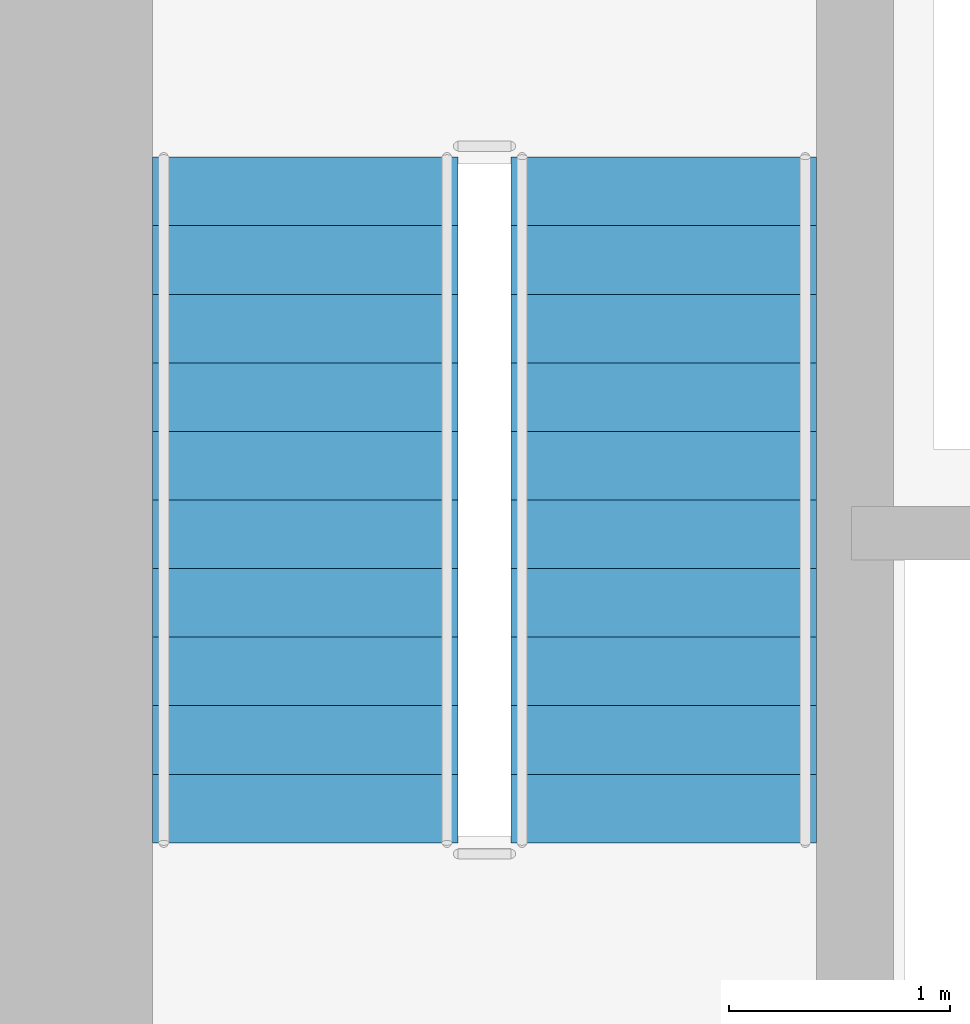
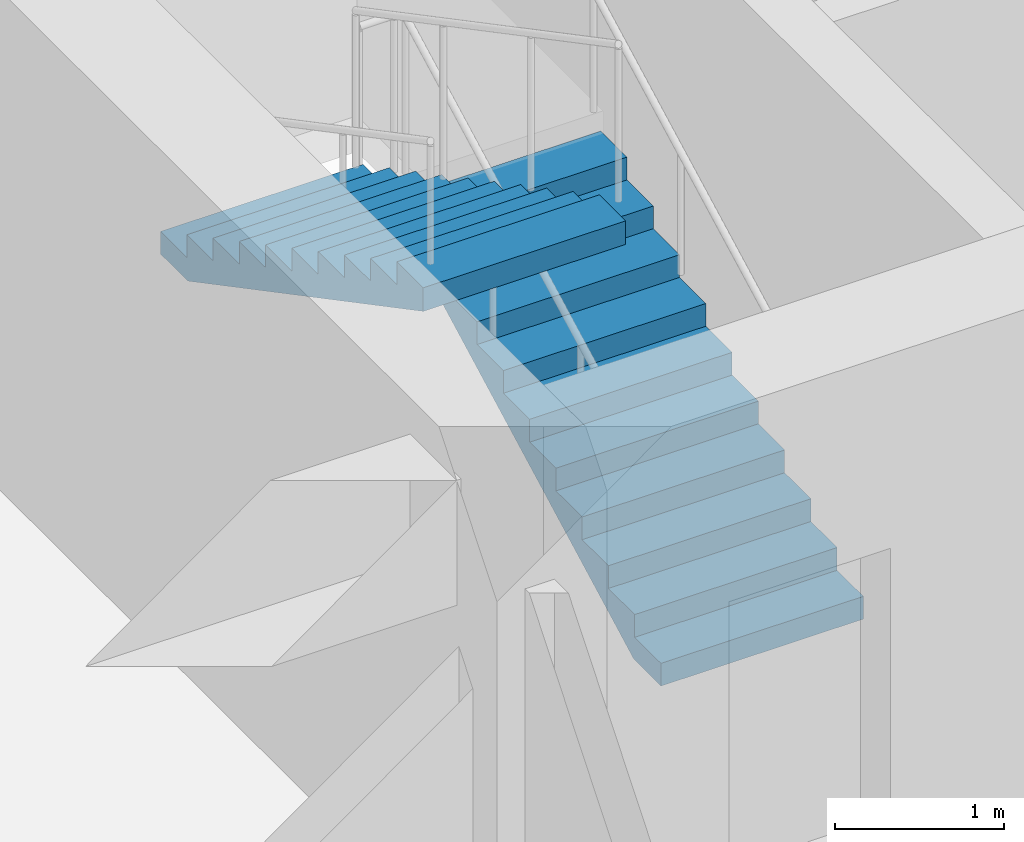
# One storey, part 12 of 14: 2 stair flights, 1 element without a shape of its own.
"""IFC4 building model written with IfcOpenShell, lengths in metres."""

import ifcopenshell
import ifcopenshell.guid

model = None  # the IFC model being written
_history = None  # IfcOwnerHistory: only IFC2X3 demands one
_inside = {}  # id of a spatial element -> (the spatial element, [elements in it])
_under = {}  # id of a project, library or spatial element -> (it, [spatial elements below it])
_declared = {}  # id of a project -> (the project, [libraries it declares])
_typed = {}  # id of a type object -> (the type object, [elements of that type])
_made_of = {}  # id of a material, layer set ... -> (it, [elements and type objects made of it])


def new_model(schema):
    """Start an empty IFC model of exactly this schema.

    Asked for "IFC4X3", IfcOpenShell would pick the latest addendum, in which some entities
    have other attributes; the version numbers below select the first issue.
    IFC2X3 requires an IfcOwnerHistory on every rooted entity: one is made here for all.
    """
    global model, _history
    if schema == "IFC4X3":
        model = ifcopenshell.file(schema_version=(4, 3, 0, 0))
    else:
        model = ifcopenshell.file(schema=schema)
    _inside.clear()
    _under.clear()
    _declared.clear()
    _typed.clear()
    _made_of.clear()
    _history = None
    if model.schema == "IFC2X3":
        org = make("IfcOrganization", Name="unknown")
        user = make(
            "IfcPersonAndOrganization",
            ThePerson=make("IfcPerson", FamilyName="unknown"),
            TheOrganization=org,
        )
        app = make(
            "IfcApplication",
            ApplicationDeveloper=org,
            Version="unknown",
            ApplicationFullName="unknown",
            ApplicationIdentifier="unknown",
        )
        _history = make(
            "IfcOwnerHistory",
            OwningUser=user,
            OwningApplication=app,
            ChangeAction="ADDED",
            CreationDate=0,
        )
    return model


def make(cls, **values):
    """One entity of the class cls with the attributes given. An attribute that is None is left unset."""
    return model.create_entity(
        cls, **{name: value for name, value in values.items() if value is not None}
    )


def rooted(cls, **values):
    """An entity with a GlobalId (a new one), such as an element, a storey or a relation."""
    return make(cls, GlobalId=ifcopenshell.guid.new(), OwnerHistory=_history, **values)


def si_unit(unit_type, name, prefix=None):
    """IfcSIUnit, for example si_unit("LENGTHUNIT", "METRE", prefix="MILLI")."""
    return make("IfcSIUnit", UnitType=unit_type, Prefix=prefix, Name=name)


def assignment(units):
    """IfcUnitAssignment: the units of a project."""
    return None if units is None else make("IfcUnitAssignment", Units=units)


def point(xyz):
    """IfcCartesianPoint."""
    return None if xyz is None else make("IfcCartesianPoint", Coordinates=xyz)


def direction(xyz):
    """IfcDirection."""
    return None if xyz is None else make("IfcDirection", DirectionRatios=xyz)


def frame(location, z_axis=None, x_axis=None):
    """IfcAxis2Placement3D, a coordinate frame: its origin and axes. An axis left out is left unset."""
    return make(
        "IfcAxis2Placement3D",
        Location=point(location),
        Axis=direction(z_axis),
        RefDirection=direction(x_axis),
    )


def origin():
    """The frame at (0, 0, 0) with its axes left unset."""
    return frame((0.0, 0.0, 0.0))


def place(relative_to, where):
    """IfcLocalPlacement: puts the frame where relative to a parent placement (None: the world)."""
    return make(
        "IfcLocalPlacement", PlacementRelTo=relative_to, RelativePlacement=where
    )


def context(
    kind, dimensions, precision=None, world=None, true_north=None, identifier=None
):
    """IfcGeometricRepresentationContext, for example the 3D "Model" context."""
    return make(
        "IfcGeometricRepresentationContext",
        ContextIdentifier=identifier,
        ContextType=kind,
        CoordinateSpaceDimension=dimensions,
        Precision=precision,
        WorldCoordinateSystem=world,
        TrueNorth=true_north,
    )


def subcontext(parent, identifier, kind, view, scale=None):
    """IfcGeometricRepresentationSubContext, for example "Body" below "Model"."""
    return make(
        "IfcGeometricRepresentationSubContext",
        ContextIdentifier=identifier,
        ContextType=kind,
        ParentContext=parent,
        TargetScale=scale,
        TargetView=view,
    )


def project(units=None, contexts=None):
    """IfcProject with its units and contexts."""
    return rooted(
        "IfcProject",
        Name="project",
        RepresentationContexts=contexts,
        UnitsInContext=assignment(units),
    )


def spatial(cls, under=None, at=None, **own):
    """A site, building, storey or space (cls), placed at a placement, below another one or the project."""
    s = rooted(cls, ObjectPlacement=at, **own)
    if under is not None:
        _under.setdefault(under.id(), (under, []))[1].append(s)
    return s


def polyline(points):
    """IfcPolyline through the points."""
    return make("IfcPolyline", Points=[point(p) for p in points])


def outline(outer, holes=None, kind="AREA"):
    """IfcArbitraryClosedProfileDef: a profile drawn as a closed curve; with holes, ...WithVoids."""
    if holes is None:
        return make("IfcArbitraryClosedProfileDef", ProfileType=kind, OuterCurve=outer)
    return make(
        "IfcArbitraryProfileDefWithVoids",
        ProfileType=kind,
        OuterCurve=outer,
        InnerCurves=holes,
    )


def extrude(swept, where, along, depth):
    """IfcExtrudedAreaSolid: the profile swept, set in the frame where, extruded along a direction by depth."""
    return make(
        "IfcExtrudedAreaSolid",
        SweptArea=swept,
        Position=where,
        ExtrudedDirection=direction(along),
        Depth=depth,
    )


def shape(context_of_items, identifier, shape_type, items):
    """IfcShapeRepresentation: the items that make up one representation, for example the "Body"."""
    return make(
        "IfcShapeRepresentation",
        ContextOfItems=context_of_items,
        RepresentationIdentifier=identifier,
        RepresentationType=shape_type,
        Items=items,
    )


def source(mapping_origin, context_of_items, identifier, shape_type, items):
    """IfcRepresentationMap: a shape defined once, which mapped items show again and again."""
    return make(
        "IfcRepresentationMap",
        MappingOrigin=mapping_origin,
        MappedRepresentation=shape(context_of_items, identifier, shape_type, items),
    )


def transform(
    local_origin,
    x_axis=None,
    y_axis=None,
    z_axis=None,
    scale=None,
    scale2=None,
    scale3=None,
    uniform=True,
):
    """IfcCartesianTransformationOperator3D, or its non-uniform kind. x_axis, y_axis, z_axis: its Axis1, 2, 3."""
    if uniform:
        return make(
            "IfcCartesianTransformationOperator3D",
            Axis1=direction(x_axis),
            Axis2=direction(y_axis),
            LocalOrigin=point(local_origin),
            Scale=scale,
            Axis3=direction(z_axis),
        )
    return make(
        "IfcCartesianTransformationOperator3DnonUniform",
        Axis1=direction(x_axis),
        Axis2=direction(y_axis),
        LocalOrigin=point(local_origin),
        Scale=scale,
        Axis3=direction(z_axis),
        Scale2=scale2,
        Scale3=scale3,
    )


def mapped(mapping_source, mapping_target):
    """IfcMappedItem: shows the shape of a source again, moved by a transform."""
    return make(
        "IfcMappedItem", MappingSource=mapping_source, MappingTarget=mapping_target
    )


def material(Name=None, Category=None):
    """IfcMaterial."""
    return make("IfcMaterial", Name=Name, Category=Category)


def made_of(thing, what):
    """Note that an element or type object is made of a material, layer set ...; save() writes the relation."""
    if what is not None:
        _made_of.setdefault(what.id(), (what, []))[1].append(thing)
    return thing


def type_object(cls, material=None, **own):
    """A type object (cls), such as IfcWallType, which elements share."""
    return made_of(rooted(cls, **own), material)


def element(
    cls,
    number,
    at=None,
    inside=None,
    cuts=None,
    type_object=None,
    material=None,
    context=None,
    identifier="Body",
    shape_type=None,
    held_by="IfcProductDefinitionShape",
    body=None,
    shapes=None,
    **own,
):
    """One element of the class cls, such as IfcWall. Its Tag is "e" and its number.

    at: its placement. inside: the storey or other place that contains it. cuts: it is an
    opening in that element (IfcRelVoidsElement). A single representation is given by context,
    identifier, shape_type and body (its items); several are given by shapes. held_by: the class
    of the entity that holds the representations. save() writes the other relations.
    """
    e = rooted(cls, Tag="e%d" % number, ObjectPlacement=at, **own)
    if body is not None:
        shapes = [shape(context, identifier, shape_type, body)]
    if shapes is not None:
        e.Representation = make(held_by, Representations=shapes)
    if inside is not None:
        _inside.setdefault(inside.id(), (inside, []))[1].append(e)
    if cuts is not None:
        rooted(
            "IfcRelVoidsElement", RelatingBuildingElement=cuts, RelatedOpeningElement=e
        )
    if type_object is not None:
        _typed.setdefault(type_object.id(), (type_object, []))[1].append(e)
    return made_of(e, material)


def aggregate(whole, parts):
    """IfcRelAggregates: a whole, such as a stair, and the parts it consists of."""
    return rooted("IfcRelAggregates", RelatingObject=whole, RelatedObjects=parts)


def save(model, path):
    """Write the relations noted so far, then the file.

    IfcRelAggregates (storeys below a building ...), IfcRelContainedInSpatialStructure (elements
    in a storey), IfcRelDefinesByType, IfcRelAssociatesMaterial and IfcRelDeclares: one each for
    every whole, place, type object, material and project.
    """
    for whole, parts in _under.values():
        aggregate(whole, parts)
    for where, things in _inside.values():
        rooted(
            "IfcRelContainedInSpatialStructure",
            RelatedElements=things,
            RelatingStructure=where,
        )
    for kind, things in _typed.values():
        rooted("IfcRelDefinesByType", RelatedObjects=things, RelatingType=kind)
    for what, things in _made_of.values():
        rooted("IfcRelAssociatesMaterial", RelatedObjects=things, RelatingMaterial=what)
    for by, libraries in _declared.values():
        rooted("IfcRelDeclares", RelatingContext=by, RelatedDefinitions=libraries)
    model.write(path)


model = new_model("IFC4")

# Units and contexts
model_context = context("Model", 3, precision=1e-05, world=origin(), true_north=direction((0.0, 1.0)))
body_context = subcontext(model_context, "Body", "Model", "MODEL_VIEW")
ifc_project = project(units=[si_unit("LENGTHUNIT", "METRE"), si_unit("AREAUNIT", "SQUARE_METRE"), si_unit("VOLUMEUNIT", "CUBIC_METRE"), si_unit("PLANEANGLEUNIT", "RADIAN"), si_unit("MASSUNIT", "GRAM", prefix="KILO")], contexts=[model_context])

# Site, building, storey
site_placement = place(None, origin())
site = spatial("IfcSite", under=ifc_project, at=site_placement, CompositionType="ELEMENT")
building_placement = place(site_placement, origin())
building = spatial("IfcBuilding", under=site, at=building_placement, Name="Khoralis Quay Care Tower", CompositionType="ELEMENT")
storey_placement = place(building_placement, frame((0.0, 0.0, 108.89990234375)))
storey = spatial("IfcBuildingStorey", under=building, at=storey_placement, Name="L28", CompositionType="ELEMENT", Elevation=108.89990234375)

# Stair, stair flights
ifc_material = material(Name="Precast concrete C45/55", Category="concrete")
stair_type = type_object("IfcStairType", Name="ST-TWR-DOGLEG-1400", PredefinedType="HALF_TURN_STAIR", material=ifc_material)
stair_placement = place(storey_placement, origin())
stair = element("IfcStair", 1, at=stair_placement, inside=storey, type_object=stair_type, Name="L28 East Core Exit Stair ST-T2", PredefinedType="HALF_TURN_STAIR")
stair_flight_type = type_object("IfcStairFlightType", Name="SF-TWR-1400", PredefinedType="STRAIGHT", material=ifc_material)
shared_shape = source(origin(), body_context, "Body", "SweptSolid", [
    extrude(outline(polyline([(0.0, 0.0), (0.0, 0.16357421875), (0.31005859375, 0.16357421875), (0.31005859375, 0.327392578125), (0.6201171875, 0.327392578125), (0.6201171875, 0.490966796875), (0.929931640625, 0.490966796875), (0.929931640625, 0.654541015625), (1.239990234375, 0.654541015625), (1.239990234375, 0.818115234375), (1.550048828125, 0.818115234375), (1.550048828125, 0.98193359375), (1.860107421875, 0.98193359375), (1.860107421875, 1.1455078125), (2.169921875, 1.1455078125), (2.169921875, 1.30908203125), (2.47998046875, 1.30908203125), (2.47998046875, 1.47265625), (2.7900390625, 1.47265625), (2.7900390625, 1.636474609375), (3.10009765625, 1.636474609375), (3.10009765625, 1.800048828125), (3.10009765625, 1.466796875), (0.321044921875, 0.0), (0.0, 0.0)])), frame((0.0, 0.68994140625, 0.0), z_axis=(0.0, -1.0, 0.0), x_axis=(1.0, 0.0, 0.0)), (0.0, 0.0, 1.0), 1.3798828125),
])
stair_flight_1_placement = place(storey_placement, frame((33.830078125, 16.77001953125, 0.0), z_axis=(0.0, 0.0, 1.0), x_axis=(0.0, 1.0, 0.0)))
stair_flight_1 = element("IfcStairFlight", 2, at=stair_flight_1_placement, type_object=stair_flight_type, Name="ST-T2 flight 1", NumberOfRisers=11, NumberOfTreads=10, PredefinedType="STRAIGHT", RiserHeight=0.163636364, TreadLength=0.31, context=body_context, shape_type="MappedRepresentation", body=[
    mapped(shared_shape, transform((0.0, 0.0, 0.0), scale=1.0)),
])
stair_flight_2_placement = place(storey_placement, frame((32.2099609375, 19.8701171875, 1.800048828125), z_axis=(0.0, 0.0, 1.0), x_axis=(0.0, -1.0, 0.0)))
stair_flight_2 = element("IfcStairFlight", 3, at=stair_flight_2_placement, type_object=stair_flight_type, Name="ST-T2 flight 2", NumberOfRisers=11, NumberOfTreads=10, PredefinedType="STRAIGHT", RiserHeight=0.163636364, TreadLength=0.31, context=body_context, shape_type="MappedRepresentation", body=[
    mapped(shared_shape, transform((0.0, 0.0, 0.0), scale=1.0)),
])
aggregate(stair, [stair_flight_1, stair_flight_2])

save(model, "model.ifc")
